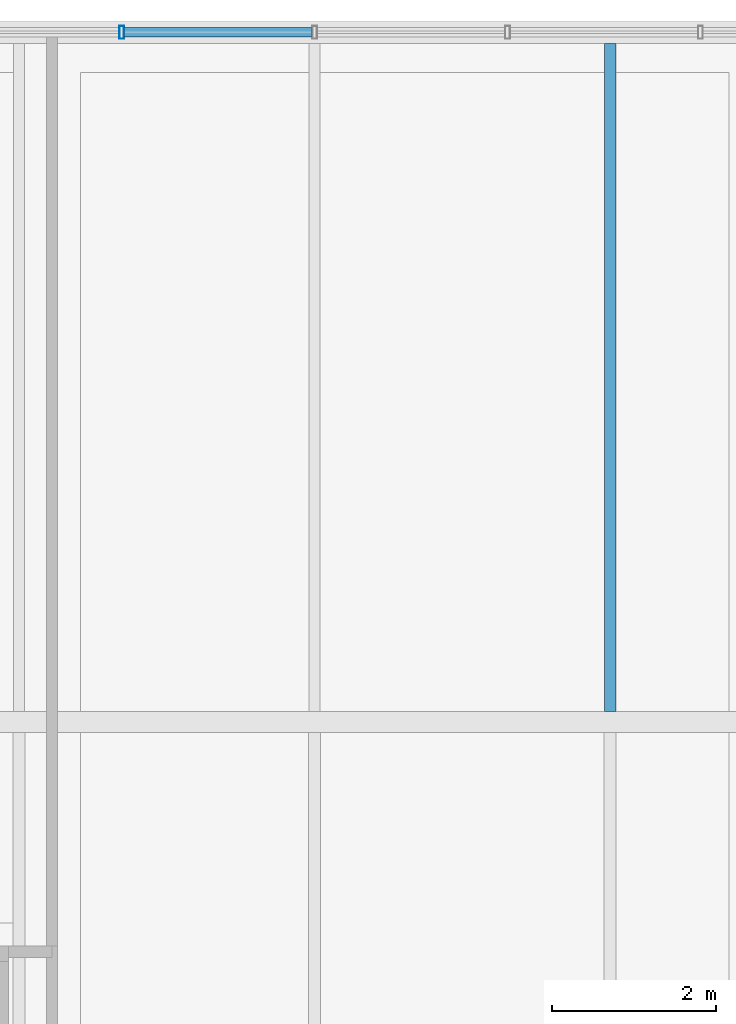
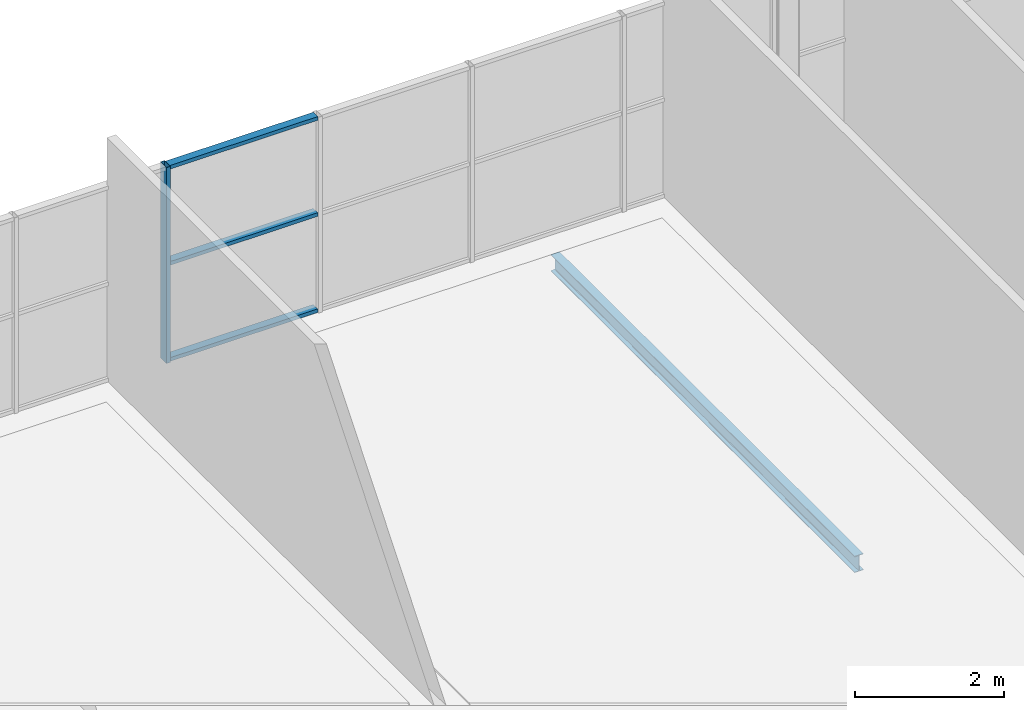
# One storey, part 39 of 68: 4 members, 1 beam, 1 element without a shape of its own.
"""IFC4 building model written with IfcOpenShell, lengths in metres."""

from ifc_helpers import new_model, si_unit, direction, frame, origin, origin_2d, place, context, subcontext, project, spatial, hollow_rectangle, i_section, extrude, material, material_profile, profile_set, type_object, element, aggregate, save


model = new_model("IFC4")

# Units and contexts
model_context = context("Model", 3, precision=1e-05, world=origin(), true_north=direction((0.0, 1.0)))
body_context = subcontext(model_context, "Body", "Model", "MODEL_VIEW")
ifc_project = project(units=[si_unit("LENGTHUNIT", "METRE"), si_unit("AREAUNIT", "SQUARE_METRE"), si_unit("VOLUMEUNIT", "CUBIC_METRE"), si_unit("PLANEANGLEUNIT", "RADIAN"), si_unit("MASSUNIT", "GRAM", prefix="KILO"), si_unit("THERMODYNAMICTEMPERATUREUNIT", "KELVIN")], contexts=[model_context])

# Site, building, storey
site_placement = place(None, origin())
site = spatial("IfcSite", under=ifc_project, at=site_placement, CompositionType="ELEMENT")
building_placement = place(site_placement, origin())
building = spatial("IfcBuilding", under=site, at=building_placement, Name="Nduvali Passage Aquatics Centre", CompositionType="ELEMENT")
storey_placement = place(building_placement, frame((0.0, 0.0, 13.199951171875)))
storey = spatial("IfcBuildingStorey", under=building, at=storey_placement, Name="L03", CompositionType="ELEMENT", Elevation=13.199951171875)

# Curtain wall, members
ifc_material_1 = material(Name="Aluminium EN AW-6063 T6", Category="aluminium")
curtain_wall_type = type_object("IfcCurtainWallType", Name="ENV-CW-WELL", PredefinedType="NOTDEFINED", material=ifc_material_1)
curtain_wall_placement = place(storey_placement, origin())
curtain_wall = element("IfcCurtainWall", 1, at=curtain_wall_placement, inside=storey, type_object=curtain_wall_type, Name="L03 North Avenue Teaching CW 110", PredefinedType="NOTDEFINED")
ifc_material_profile_1 = material_profile(ifc_material_1, hollow_rectangle(XDim=0.06005859375, YDim=0.159912109375, WallThickness=0.00390625, at=origin_2d()), Name="ALU MULLION 60x160x4")
ifc_profile_set_1 = profile_set([ifc_material_profile_1], Name="Aluminium EN AW-6063 T6")
member_type_1 = type_object("IfcMemberType", Name="ENV-MEM-MUL60", PredefinedType="MULLION", material=ifc_profile_set_1)
member_1_placement = place(storey_placement, frame((87.64990234375, 117.60009765625, 0.0), z_axis=(0.0, 0.0, 1.0), x_axis=(1.0, 0.0, 0.0)))
member_1 = element("IfcMember", 2, at=member_1_placement, type_object=member_type_1, Name="North Avenue Teaching CW Mullion 3", PredefinedType="MULLION", context=body_context, shape_type="SweptSolid", body=[
    extrude(hollow_rectangle(XDim=0.06005859375, YDim=0.159912109375, WallThickness=0.00390625, at=origin_2d()), origin(), (0.0, 0.0, 1.0), 3.203857421875),
])
ifc_material_profile_2 = material_profile(ifc_material_1, hollow_rectangle(XDim=0.1201171875, YDim=0.06005859375, WallThickness=0.00390625, at=origin_2d()), Name="ALU TRANSOM 120x60x4")
ifc_profile_set_2 = profile_set([ifc_material_profile_2], Name="Aluminium EN AW-6063 T6")
member_type_2 = type_object("IfcMemberType", Name="ENV-MEM-TRN60", PredefinedType="USERDEFINED", material=ifc_profile_set_2)
member_2_placement = place(storey_placement, frame((87.679931640625, 117.60009765625, 0.030029296875), z_axis=(1.0, 0.0, 0.0), x_axis=(0.0, 1.0, 0.0)))
member_2 = element("IfcMember", 3, at=member_2_placement, type_object=member_type_2, Name="North Avenue Teaching CW Transom B3-R0", ObjectType="TRANSOM", PredefinedType="USERDEFINED", context=body_context, shape_type="SweptSolid", body=[
    extrude(hollow_rectangle(XDim=0.1201171875, YDim=0.06005859375, WallThickness=0.00390625, at=origin_2d()), origin(), (0.0, 0.0, 1.0), 2.2900390625),
])
member_3_placement = place(storey_placement, frame((87.679931640625, 117.60009765625, 1.60205078125), z_axis=(1.0, 0.0, 0.0), x_axis=(0.0, 1.0, 0.0)))
member_3 = element("IfcMember", 4, at=member_3_placement, type_object=member_type_2, Name="North Avenue Teaching CW Transom B3-R1", ObjectType="TRANSOM", PredefinedType="USERDEFINED", context=body_context, shape_type="SweptSolid", body=[
    extrude(hollow_rectangle(XDim=0.1201171875, YDim=0.06005859375, WallThickness=0.00390625, at=origin_2d()), origin(), (0.0, 0.0, 1.0), 2.2900390625),
])
member_4_placement = place(storey_placement, frame((87.679931640625, 117.60009765625, 3.173828125), z_axis=(1.0, 0.0, 0.0), x_axis=(0.0, 1.0, 0.0)))
member_4 = element("IfcMember", 5, at=member_4_placement, type_object=member_type_2, Name="North Avenue Teaching CW Transom B3-R2", ObjectType="TRANSOM", PredefinedType="USERDEFINED", context=body_context, shape_type="SweptSolid", body=[
    extrude(hollow_rectangle(XDim=0.1201171875, YDim=0.06005859375, WallThickness=0.00390625, at=origin_2d()), origin(), (0.0, 0.0, 1.0), 2.2900390625),
])
aggregate(curtain_wall, [member_1, member_2, member_3, member_4])

# Beam
ifc_material_2 = material(Name="Steel S355", Category="steel")
ifc_material_profile_3 = material_profile(ifc_material_2, i_section(OverallWidth=0.135009765625, OverallDepth=0.27001953125, WebThickness=0.006591796875, FlangeThickness=0.01025390625, FilletRadius=0.014892578125, at=origin_2d()), Name="IPE 270")
ifc_profile_set_3 = profile_set([ifc_material_profile_3], Name="Steel S355")
beam_type = type_object("IfcBeamType", Name="STR-JST-IPE270", PredefinedType="JOIST", material=ifc_profile_set_3)
beam_placement = place(storey_placement, frame((93.60009765625, 109.326904296875, -0.388916015625), z_axis=(0.0, 1.0, 0.0), x_axis=(-1.0, 0.0, 0.0)))
element("IfcBeam", 6, at=beam_placement, inside=storey, type_object=beam_type, Name="L03 Secondary Joist J8-1314", PredefinedType="JOIST", context=body_context, shape_type="SweptSolid", body=[
    extrude(i_section(OverallWidth=0.135009765625, OverallDepth=0.27001953125, WebThickness=0.006591796875, FlangeThickness=0.01025390625, FilletRadius=0.014892578125, at=origin_2d()), origin(), (0.0, 0.0, 1.0), 8.139892578125),
])

save(model, "model.ifc")
